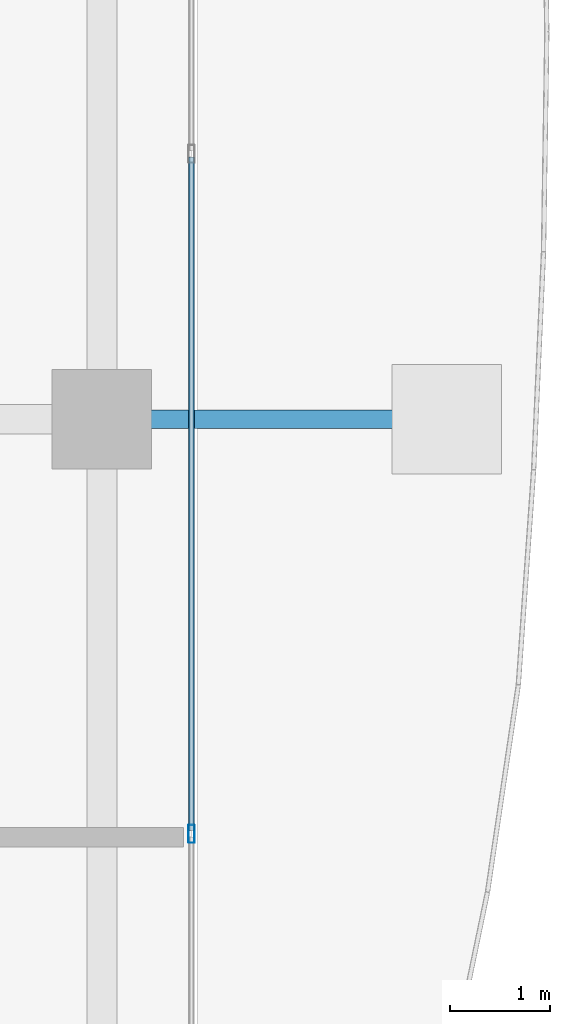
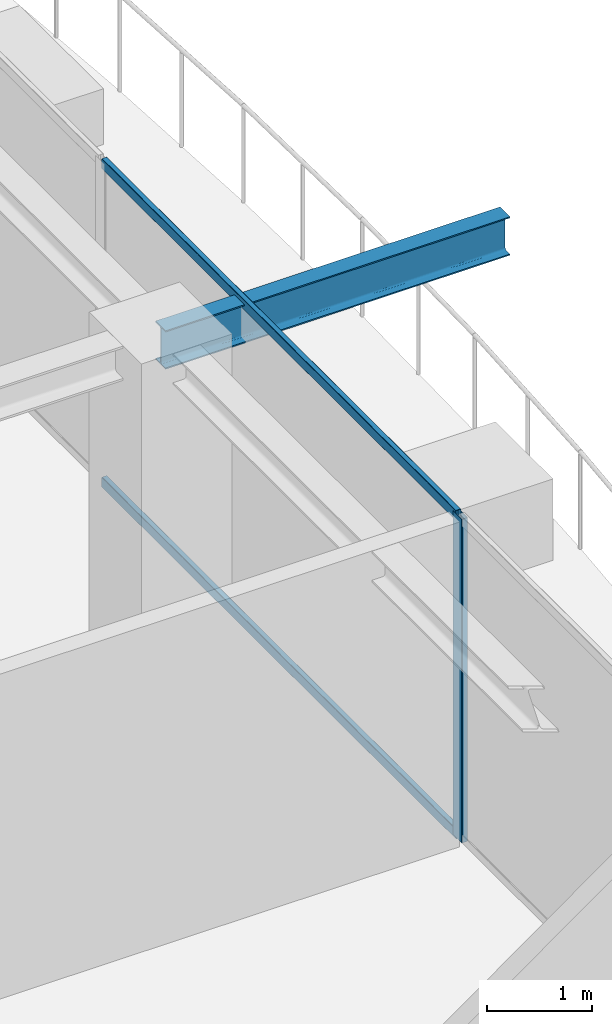
# One storey, part 16 of 42: 3 members, 1 beam, 1 element without a shape of its own.
"""IFC4 building model written with IfcOpenShell, lengths in metres."""

import ifcopenshell
import ifcopenshell.guid

model = None  # the IFC model being written
_history = None  # IfcOwnerHistory: only IFC2X3 demands one
_inside = {}  # id of a spatial element -> (the spatial element, [elements in it])
_under = {}  # id of a project, library or spatial element -> (it, [spatial elements below it])
_declared = {}  # id of a project -> (the project, [libraries it declares])
_typed = {}  # id of a type object -> (the type object, [elements of that type])
_made_of = {}  # id of a material, layer set ... -> (it, [elements and type objects made of it])


def new_model(schema):
    """Start an empty IFC model of exactly this schema.

    Asked for "IFC4X3", IfcOpenShell would pick the latest addendum, in which some entities
    have other attributes; the version numbers below select the first issue.
    IFC2X3 requires an IfcOwnerHistory on every rooted entity: one is made here for all.
    """
    global model, _history
    if schema == "IFC4X3":
        model = ifcopenshell.file(schema_version=(4, 3, 0, 0))
    else:
        model = ifcopenshell.file(schema=schema)
    _inside.clear()
    _under.clear()
    _declared.clear()
    _typed.clear()
    _made_of.clear()
    _history = None
    if model.schema == "IFC2X3":
        org = make("IfcOrganization", Name="unknown")
        user = make(
            "IfcPersonAndOrganization",
            ThePerson=make("IfcPerson", FamilyName="unknown"),
            TheOrganization=org,
        )
        app = make(
            "IfcApplication",
            ApplicationDeveloper=org,
            Version="unknown",
            ApplicationFullName="unknown",
            ApplicationIdentifier="unknown",
        )
        _history = make(
            "IfcOwnerHistory",
            OwningUser=user,
            OwningApplication=app,
            ChangeAction="ADDED",
            CreationDate=0,
        )
    return model


def make(cls, **values):
    """One entity of the class cls with the attributes given. An attribute that is None is left unset."""
    return model.create_entity(
        cls, **{name: value for name, value in values.items() if value is not None}
    )


def rooted(cls, **values):
    """An entity with a GlobalId (a new one), such as an element, a storey or a relation."""
    return make(cls, GlobalId=ifcopenshell.guid.new(), OwnerHistory=_history, **values)


def si_unit(unit_type, name, prefix=None):
    """IfcSIUnit, for example si_unit("LENGTHUNIT", "METRE", prefix="MILLI")."""
    return make("IfcSIUnit", UnitType=unit_type, Prefix=prefix, Name=name)


def assignment(units):
    """IfcUnitAssignment: the units of a project."""
    return None if units is None else make("IfcUnitAssignment", Units=units)


def point(xyz):
    """IfcCartesianPoint."""
    return None if xyz is None else make("IfcCartesianPoint", Coordinates=xyz)


def direction(xyz):
    """IfcDirection."""
    return None if xyz is None else make("IfcDirection", DirectionRatios=xyz)


def frame(location, z_axis=None, x_axis=None):
    """IfcAxis2Placement3D, a coordinate frame: its origin and axes. An axis left out is left unset."""
    return make(
        "IfcAxis2Placement3D",
        Location=point(location),
        Axis=direction(z_axis),
        RefDirection=direction(x_axis),
    )


def frame_2d(location, x_axis=None):
    """IfcAxis2Placement2D, a coordinate frame in the plane: its origin and x axis."""
    return make(
        "IfcAxis2Placement2D", Location=point(location), RefDirection=direction(x_axis)
    )


def origin():
    """The frame at (0, 0, 0) with its axes left unset."""
    return frame((0.0, 0.0, 0.0))


def origin_2d():
    """The frame at (0, 0) in the plane with its x axis left unset."""
    return frame_2d((0.0, 0.0))


def place(relative_to, where):
    """IfcLocalPlacement: puts the frame where relative to a parent placement (None: the world)."""
    return make(
        "IfcLocalPlacement", PlacementRelTo=relative_to, RelativePlacement=where
    )


def context(
    kind, dimensions, precision=None, world=None, true_north=None, identifier=None
):
    """IfcGeometricRepresentationContext, for example the 3D "Model" context."""
    return make(
        "IfcGeometricRepresentationContext",
        ContextIdentifier=identifier,
        ContextType=kind,
        CoordinateSpaceDimension=dimensions,
        Precision=precision,
        WorldCoordinateSystem=world,
        TrueNorth=true_north,
    )


def subcontext(parent, identifier, kind, view, scale=None):
    """IfcGeometricRepresentationSubContext, for example "Body" below "Model"."""
    return make(
        "IfcGeometricRepresentationSubContext",
        ContextIdentifier=identifier,
        ContextType=kind,
        ParentContext=parent,
        TargetScale=scale,
        TargetView=view,
    )


def project(units=None, contexts=None):
    """IfcProject with its units and contexts."""
    return rooted(
        "IfcProject",
        Name="project",
        RepresentationContexts=contexts,
        UnitsInContext=assignment(units),
    )


def spatial(cls, under=None, at=None, **own):
    """A site, building, storey or space (cls), placed at a placement, below another one or the project."""
    s = rooted(cls, ObjectPlacement=at, **own)
    if under is not None:
        _under.setdefault(under.id(), (under, []))[1].append(s)
    return s


def profile(cls, at=None, kind="AREA", **sizes):
    """A parametric profile (cls). Its sizes go by their IFC names, for example OverallWidth=200.0."""
    return make(cls, ProfileType=kind, Position=at, **sizes)


def hollow_rectangle(**sizes):
    """IfcRectangleHollowProfileDef."""
    return profile("IfcRectangleHollowProfileDef", **sizes)


def i_section(**sizes):
    """IfcIShapeProfileDef."""
    return profile("IfcIShapeProfileDef", **sizes)


def extrude(swept, where, along, depth):
    """IfcExtrudedAreaSolid: the profile swept, set in the frame where, extruded along a direction by depth."""
    return make(
        "IfcExtrudedAreaSolid",
        SweptArea=swept,
        Position=where,
        ExtrudedDirection=direction(along),
        Depth=depth,
    )


def shape(context_of_items, identifier, shape_type, items):
    """IfcShapeRepresentation: the items that make up one representation, for example the "Body"."""
    return make(
        "IfcShapeRepresentation",
        ContextOfItems=context_of_items,
        RepresentationIdentifier=identifier,
        RepresentationType=shape_type,
        Items=items,
    )


def source(mapping_origin, context_of_items, identifier, shape_type, items):
    """IfcRepresentationMap: a shape defined once, which mapped items show again and again."""
    return make(
        "IfcRepresentationMap",
        MappingOrigin=mapping_origin,
        MappedRepresentation=shape(context_of_items, identifier, shape_type, items),
    )


def transform(
    local_origin,
    x_axis=None,
    y_axis=None,
    z_axis=None,
    scale=None,
    scale2=None,
    scale3=None,
    uniform=True,
):
    """IfcCartesianTransformationOperator3D, or its non-uniform kind. x_axis, y_axis, z_axis: its Axis1, 2, 3."""
    if uniform:
        return make(
            "IfcCartesianTransformationOperator3D",
            Axis1=direction(x_axis),
            Axis2=direction(y_axis),
            LocalOrigin=point(local_origin),
            Scale=scale,
            Axis3=direction(z_axis),
        )
    return make(
        "IfcCartesianTransformationOperator3DnonUniform",
        Axis1=direction(x_axis),
        Axis2=direction(y_axis),
        LocalOrigin=point(local_origin),
        Scale=scale,
        Axis3=direction(z_axis),
        Scale2=scale2,
        Scale3=scale3,
    )


def mapped(mapping_source, mapping_target):
    """IfcMappedItem: shows the shape of a source again, moved by a transform."""
    return make(
        "IfcMappedItem", MappingSource=mapping_source, MappingTarget=mapping_target
    )


def material(Name=None, Category=None):
    """IfcMaterial."""
    return make("IfcMaterial", Name=Name, Category=Category)


def layer(
    of_material, thickness, ventilated=None, Name=None, Category=None, Priority=None
):
    """IfcMaterialLayer: one layer of a wall or slab, of a material (None: an air gap)."""
    return make(
        "IfcMaterialLayer",
        Material=of_material,
        LayerThickness=thickness,
        IsVentilated=ventilated,
        Name=Name,
        Category=Category,
        Priority=Priority,
    )


def layer_set(layers, Name=None):
    """IfcMaterialLayerSet."""
    return make("IfcMaterialLayerSet", MaterialLayers=layers, LayerSetName=Name)


def material_profile(
    of_material, cross_section, Name=None, Category=None, Priority=None
):
    """IfcMaterialProfile: a cross section and its material."""
    return make(
        "IfcMaterialProfile",
        Name=Name,
        Material=of_material,
        Profile=cross_section,
        Priority=Priority,
        Category=Category,
    )


def profile_set(profiles, Name=None, composite=None):
    """IfcMaterialProfileSet."""
    return make(
        "IfcMaterialProfileSet",
        Name=Name,
        MaterialProfiles=profiles,
        CompositeProfile=composite,
    )


def made_of(thing, what):
    """Note that an element or type object is made of a material, layer set ...; save() writes the relation."""
    if what is not None:
        _made_of.setdefault(what.id(), (what, []))[1].append(thing)
    return thing


def type_object(cls, material=None, **own):
    """A type object (cls), such as IfcWallType, which elements share."""
    return made_of(rooted(cls, **own), material)


def element(
    cls,
    number,
    at=None,
    inside=None,
    cuts=None,
    type_object=None,
    material=None,
    context=None,
    identifier="Body",
    shape_type=None,
    held_by="IfcProductDefinitionShape",
    body=None,
    shapes=None,
    **own,
):
    """One element of the class cls, such as IfcWall. Its Tag is "e" and its number.

    at: its placement. inside: the storey or other place that contains it. cuts: it is an
    opening in that element (IfcRelVoidsElement). A single representation is given by context,
    identifier, shape_type and body (its items); several are given by shapes. held_by: the class
    of the entity that holds the representations. save() writes the other relations.
    """
    e = rooted(cls, Tag="e%d" % number, ObjectPlacement=at, **own)
    if body is not None:
        shapes = [shape(context, identifier, shape_type, body)]
    if shapes is not None:
        e.Representation = make(held_by, Representations=shapes)
    if inside is not None:
        _inside.setdefault(inside.id(), (inside, []))[1].append(e)
    if cuts is not None:
        rooted(
            "IfcRelVoidsElement", RelatingBuildingElement=cuts, RelatedOpeningElement=e
        )
    if type_object is not None:
        _typed.setdefault(type_object.id(), (type_object, []))[1].append(e)
    return made_of(e, material)


def aggregate(whole, parts):
    """IfcRelAggregates: a whole, such as a stair, and the parts it consists of."""
    return rooted("IfcRelAggregates", RelatingObject=whole, RelatedObjects=parts)


def save(model, path):
    """Write the relations noted so far, then the file.

    IfcRelAggregates (storeys below a building ...), IfcRelContainedInSpatialStructure (elements
    in a storey), IfcRelDefinesByType, IfcRelAssociatesMaterial and IfcRelDeclares: one each for
    every whole, place, type object, material and project.
    """
    for whole, parts in _under.values():
        aggregate(whole, parts)
    for where, things in _inside.values():
        rooted(
            "IfcRelContainedInSpatialStructure",
            RelatedElements=things,
            RelatingStructure=where,
        )
    for kind, things in _typed.values():
        rooted("IfcRelDefinesByType", RelatedObjects=things, RelatingType=kind)
    for what, things in _made_of.values():
        rooted("IfcRelAssociatesMaterial", RelatedObjects=things, RelatingMaterial=what)
    for by, libraries in _declared.values():
        rooted("IfcRelDeclares", RelatingContext=by, RelatedDefinitions=libraries)
    model.write(path)


model = new_model("IFC4")

# Units and contexts
model_context = context("Model", 3, precision=1e-05, world=origin(), true_north=direction((0.0, 1.0)))
body_context = subcontext(model_context, "Body", "Model", "MODEL_VIEW")
ifc_project = project(units=[si_unit("LENGTHUNIT", "METRE"), si_unit("AREAUNIT", "SQUARE_METRE"), si_unit("VOLUMEUNIT", "CUBIC_METRE"), si_unit("PLANEANGLEUNIT", "RADIAN"), si_unit("MASSUNIT", "GRAM", prefix="KILO")], contexts=[model_context])

# Site, building, storey
site_placement = place(None, origin())
site = spatial("IfcSite", under=ifc_project, at=site_placement, CompositionType="ELEMENT")
building_placement = place(site_placement, origin())
building = spatial("IfcBuilding", under=site, at=building_placement, Name="Serunith Strait Residences", CompositionType="ELEMENT")
storey_placement = place(building_placement, frame((0.0, 0.0, 309.64990234375)))
storey = spatial("IfcBuildingStorey", under=building, at=storey_placement, Name="L77", CompositionType="ELEMENT", Elevation=309.64990234375)

# Beam
ifc_material_1 = material(Name="Steel S355J2", Category="steel")
ifc_material_profile_1 = material_profile(ifc_material_1, i_section(OverallWidth=0.18994140625, OverallDepth=0.449951171875, WebThickness=0.009521484375, FlangeThickness=0.0146484375, FilletRadius=0.02099609375, at=origin_2d()), Name="IPE 450")
ifc_profile_set_1 = profile_set([ifc_material_profile_1], Name="Steel S355J2")
beam_type = type_object("IfcBeamType", Name="BM-IPE450", PredefinedType="JOIST", material=ifc_profile_set_1)
shared_shape_1 = source(origin(), body_context, "Body", "SweptSolid", [
    extrude(i_section(OverallWidth=0.18994140625, OverallDepth=0.449951171875, WebThickness=0.009521484375, FlangeThickness=0.0146484375, FilletRadius=0.02099609375, at=origin_2d()), origin(), (0.0, 0.0, 1.0), 3.800048828125),
])
beam_placement = place(storey_placement, frame((54.699951171875, 21.0, 3.531982421875), z_axis=(1.0, 0.0, 0.0), x_axis=(0.0, 1.0, 0.0)))
element("IfcBeam", 1, at=beam_placement, inside=storey, type_object=beam_type, Name="L78 Cantilevered Balcony Rib TC-E2", PredefinedType="JOIST", context=body_context, shape_type="MappedRepresentation", body=[
    mapped(shared_shape_1, transform((0.0, 0.0, 0.0), scale=1.0)),
])

# Curtain wall, members
ifc_material_2 = material(Name="Brushed Stainless-Silver Aluminium", Category="aluminium")
ifc_layer = layer(ifc_material_2, 0.199951171875, Name="Brushed Stainless-Silver Aluminium")
ifc_layer_set = layer_set([ifc_layer], Name="Brushed Stainless-Silver Aluminium")
curtain_wall_type = type_object("IfcCurtainWallType", Name="CW-SYS5", PredefinedType="NOTDEFINED", material=ifc_layer_set)
curtain_wall_placement = place(storey_placement, origin())
curtain_wall = element("IfcCurtainWall", 2, at=curtain_wall_placement, inside=storey, type_object=curtain_wall_type, Name="L77 E Unitised Fritted Curtain Wall", PredefinedType="NOTDEFINED")
ifc_material_profile_2 = material_profile(ifc_material_2, hollow_rectangle(XDim=0.06494140625, YDim=0.179931640625, WallThickness=0.00341796875, InnerFilletRadius=0.00537109375, OuterFilletRadius=0.0087890625, at=origin_2d()), Name="ALU 180x65x3.5")
ifc_profile_set_2 = profile_set([ifc_material_profile_2], Name="Brushed Stainless-Silver Aluminium")
member_type_1 = type_object("IfcMemberType", Name="CW-SYS5-MULL", PredefinedType="MULLION", material=ifc_profile_set_2)
shared_shape_2 = source(origin(), body_context, "Body", "SweptSolid", [
    extrude(hollow_rectangle(XDim=0.06494140625, YDim=0.179931640625, WallThickness=0.00341796875, InnerFilletRadius=0.00537109375, OuterFilletRadius=0.0087890625, at=origin_2d()), origin(), (0.0, 0.0, 1.0), 3.775146484375),
])
member_1_placement = place(storey_placement, frame((55.60009765625, 16.833251953125, 0.0), z_axis=(0.0, 0.0, 1.0), x_axis=(-1.0, 0.0, 0.0)))
member_1 = element("IfcMember", 3, at=member_1_placement, type_object=member_type_1, Name="CW-5 mullion 2", PredefinedType="MULLION", context=body_context, shape_type="MappedRepresentation", body=[
    mapped(shared_shape_2, transform((0.0, 0.0, 0.0), scale=1.0)),
])
ifc_material_profile_3 = material_profile(ifc_material_2, hollow_rectangle(XDim=0.06005859375, YDim=0.1201171875, WallThickness=0.00341796875, InnerFilletRadius=0.00537109375, OuterFilletRadius=0.0087890625, at=origin_2d()), Name="ALU 120x60x3.5")
ifc_profile_set_3 = profile_set([ifc_material_profile_3], Name="Brushed Stainless-Silver Aluminium")
member_type_2 = type_object("IfcMemberType", Name="CW-SYS5-TRAN", PredefinedType="USERDEFINED", material=ifc_profile_set_3)
shared_shape_3 = source(origin(), body_context, "Body", "SweptSolid", [
    extrude(hollow_rectangle(XDim=0.06005859375, YDim=0.1201171875, WallThickness=0.00341796875, InnerFilletRadius=0.00537109375, OuterFilletRadius=0.0087890625, at=origin_2d()), origin(), (0.0, 0.0, 1.0), 6.7685546875),
])
member_2_placement = place(storey_placement, frame((55.60009765625, 16.86572265625, 0.030029296875), z_axis=(0.0, 1.0, 0.0), x_axis=(-1.0, 0.0, 0.0)))
member_2 = element("IfcMember", 4, at=member_2_placement, type_object=member_type_2, Name="CW-5 transom 2.1", ObjectType="TRANSOM", PredefinedType="USERDEFINED", context=body_context, shape_type="MappedRepresentation", body=[
    mapped(shared_shape_3, transform((0.0, 0.0, 0.0), scale=1.0)),
])
member_3_placement = place(storey_placement, frame((55.60009765625, 16.86572265625, 3.7451171875), z_axis=(0.0, 1.0, 0.0), x_axis=(-1.0, 0.0, 0.0)))
member_3 = element("IfcMember", 5, at=member_3_placement, type_object=member_type_2, Name="CW-5 transom 2.2", ObjectType="TRANSOM", PredefinedType="USERDEFINED", context=body_context, shape_type="MappedRepresentation", body=[
    mapped(shared_shape_3, transform((0.0, 0.0, 0.0), scale=1.0)),
])
aggregate(curtain_wall, [member_1, member_2, member_3])

save(model, "model.ifc")
